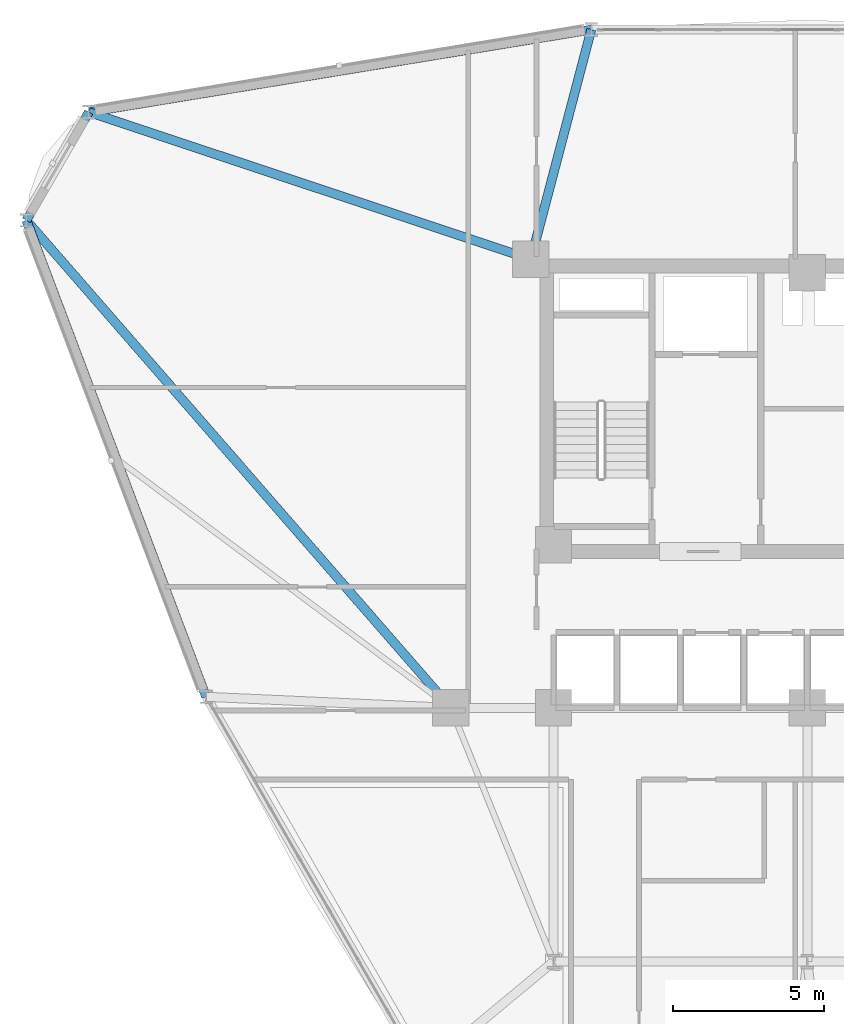
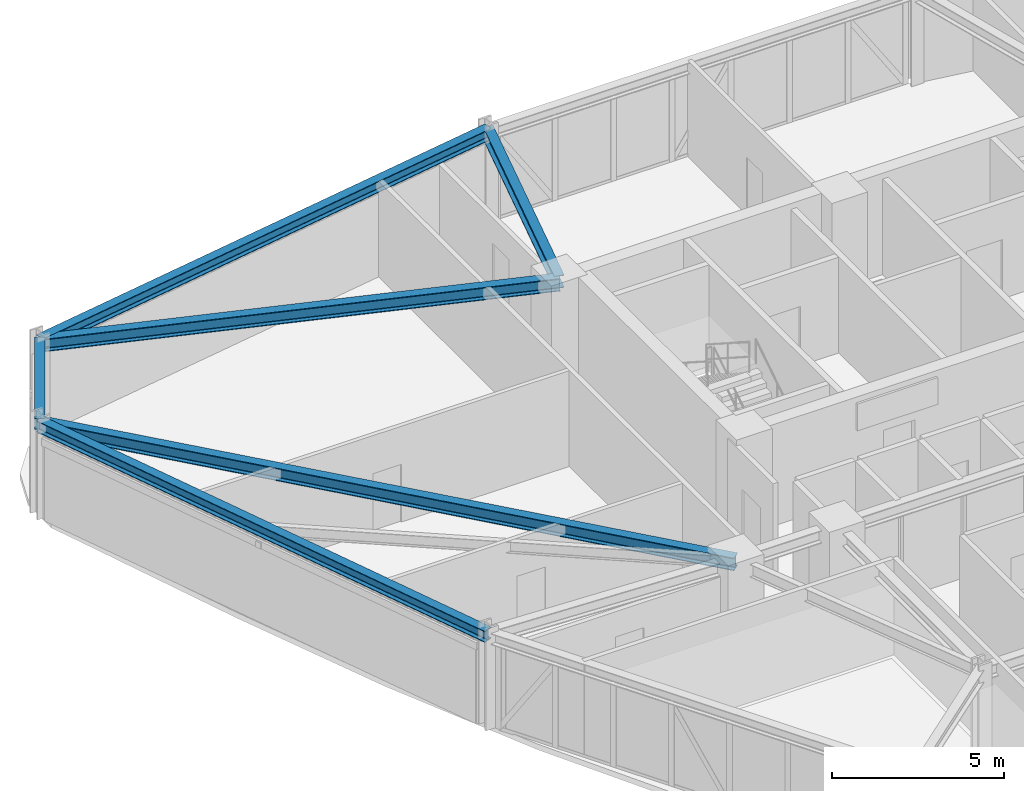
# One storey, part 7 of 17: 6 beams.
"""IFC4 building model written with IfcOpenShell, lengths in metres."""

from ifc_helpers import new_model, si_unit, derived_unit, direction, frame, origin, origin_2d, place, context, subcontext, project, spatial, i_section, extrude, source, transform, mapped, material, material_profile, profile_set, type_object, element, save


model = new_model("IFC4")

# Units and contexts
model_context = context("Model", 3, precision=1e-05, world=origin(), true_north=direction((0.0, 1.0)))
body_context = subcontext(model_context, "Body", "Model", "MODEL_VIEW")
ifc_project = project(units=[si_unit("LENGTHUNIT", "METRE"), si_unit("AREAUNIT", "SQUARE_METRE"), si_unit("VOLUMEUNIT", "CUBIC_METRE"), si_unit("PLANEANGLEUNIT", "RADIAN"), si_unit("MASSUNIT", "GRAM", prefix="KILO"), derived_unit("THERMALTRANSMITTANCEUNIT", [(si_unit("POWERUNIT", "WATT"), 1), (si_unit("LENGTHUNIT", "METRE"), -2), (si_unit("THERMODYNAMICTEMPERATUREUNIT", "KELVIN"), -1)])], contexts=[model_context])

# Site, building, storey
site_placement = place(None, origin())
site = spatial("IfcSite", under=ifc_project, at=site_placement, CompositionType="ELEMENT")
building_placement = place(site_placement, origin())
building = spatial("IfcBuilding", under=site, at=building_placement, Name="Korsvarv Bourse and Concert Hall", CompositionType="ELEMENT")
storey_placement = place(building_placement, frame((0.0, 0.0, 102.60009765625)))
storey = spatial("IfcBuildingStorey", under=building, at=storey_placement, Name="L25", CompositionType="ELEMENT", Elevation=102.60009765625)

# Beams
ifc_material = material(Name="Steel S355", Category="steel")
ifc_material_profile_1 = material_profile(ifc_material, i_section(OverallWidth=0.300048828125, OverallDepth=0.39990234375, WebThickness=0.013427734375, FlangeThickness=0.02392578125, FilletRadius=0.02099609375, at=origin_2d()), Name="HEB 400")
ifc_profile_set_1 = profile_set([ifc_material_profile_1], Name="Steel S355")
beam_type_1 = type_object("IfcBeamType", Name="BM-HEB400", PredefinedType="SPANDREL", material=ifc_profile_set_1)
shared_shape_1 = source(origin(), body_context, "Body", "SweptSolid", [
    extrude(i_section(OverallWidth=0.300048828125, OverallDepth=0.39990234375, WebThickness=0.013427734375, FlangeThickness=0.02392578125, FilletRadius=0.02099609375, at=origin_2d()), origin(), (0.0, 0.0, 1.0), 4.136962890625),
])
beam_1_placement = place(storey_placement, frame((12.21728515625, 52.119384765625, 3.199951171875), z_axis=(-0.500042586076, -0.866000815306, 0.0), x_axis=(0.866000815306, -0.500042586076, 0.0)))
element("IfcBeam", 1, at=beam_1_placement, inside=storey, type_object=beam_type_1, Name="L25 beam B-09", PredefinedType="SPANDREL", context=body_context, shape_type="MappedRepresentation", body=[
    mapped(shared_shape_1, transform((0.0, 0.0, 0.0), scale=1.0)),
])
shared_shape_2 = source(origin(), body_context, "Body", "SweptSolid", [
    extrude(i_section(OverallWidth=0.300048828125, OverallDepth=0.39990234375, WebThickness=0.013427734375, FlangeThickness=0.02392578125, FilletRadius=0.02099609375, at=origin_2d()), origin(), (0.0, 0.0, 1.0), 16.856201171875),
])
for number, where, z_axis, x_axis, name in (
    (2, (28.8505859375, 54.8515625, 3.199951171875), (-0.986776405202, -0.162087402768, 0.0), (0.162087402768, -0.986776405202, 0.0), "L25 beam B-09"),
    (3, (10.148681640625, 48.536865234375, 3.199951171875), (0.353024240889, -0.935614175472, 0.0), (0.935614175472, 0.353024240889, 0.0), "L25 beam B-09"),
):
    element("IfcBeam", number, at=place(storey_placement, frame(where, z_axis=z_axis, x_axis=x_axis)), inside=storey, type_object=beam_type_1, Name=name, PredefinedType="SPANDREL", context=body_context, shape_type="MappedRepresentation", body=[
        mapped(shared_shape_2, transform((0.0, 0.0, 0.0), scale=1.0)),
    ])
ifc_material_profile_2 = material_profile(ifc_material, i_section(OverallWidth=0.300048828125, OverallDepth=0.449951171875, WebThickness=0.013916015625, FlangeThickness=0.02587890625, FilletRadius=0.02099609375, at=origin_2d()), Name="HEB 450")
ifc_profile_set_2 = profile_set([ifc_material_profile_2], Name="Steel S355")
beam_type_2 = type_object("IfcBeamType", Name="BM-HEB450", PredefinedType="SPANDREL", material=ifc_profile_set_2)
shared_shape_3 = source(origin(), body_context, "Body", "SweptSolid", [
    extrude(i_section(OverallWidth=0.300048828125, OverallDepth=0.449951171875, WebThickness=0.013916015625, FlangeThickness=0.02587890625, FilletRadius=0.02099609375, at=origin_2d()), origin(), (0.0, 0.0, 1.0), 7.8603515625),
])
beam_2_placement = place(storey_placement, frame((28.8505859375, 54.8515625, 3.1748046875), z_axis=(-0.254502472315, -0.96707212326, 0.0), x_axis=(0.96707212326, -0.254502472315, 0.0)))
element("IfcBeam", 4, at=beam_2_placement, inside=storey, type_object=beam_type_2, Name="L25 beam B-08", PredefinedType="SPANDREL", context=body_context, shape_type="MappedRepresentation", body=[
    mapped(shared_shape_3, transform((0.0, 0.0, 0.0), scale=1.0)),
])
shared_shape_4 = source(origin(), body_context, "Body", "SweptSolid", [
    extrude(i_section(OverallWidth=0.300048828125, OverallDepth=0.449951171875, WebThickness=0.013916015625, FlangeThickness=0.02587890625, FilletRadius=0.02099609375, at=origin_2d()), origin(), (0.0, 0.0, 1.0), 15.421630859375),
])
beam_3_placement = place(storey_placement, frame((12.21728515625, 52.119384765625, 3.1748046875), z_axis=(0.948843069251, -0.315748048188, 0.0), x_axis=(0.315748048188, 0.948843069251, 0.0)))
element("IfcBeam", 5, at=beam_3_placement, inside=storey, type_object=beam_type_2, Name="L25 beam B-08", PredefinedType="SPANDREL", context=body_context, shape_type="MappedRepresentation", body=[
    mapped(shared_shape_4, transform((0.0, 0.0, 0.0), scale=1.0)),
])
shared_shape_5 = source(origin(), body_context, "Body", "SweptSolid", [
    extrude(i_section(OverallWidth=0.300048828125, OverallDepth=0.449951171875, WebThickness=0.013916015625, FlangeThickness=0.02587890625, FilletRadius=0.02099609375, at=origin_2d()), origin(), (0.0, 0.0, 1.0), 21.397216796875),
])
beam_4_placement = place(storey_placement, frame((10.148681640625, 48.536865234375, 3.1748046875), z_axis=(0.656687603639, -0.754162708722, 0.0), x_axis=(0.754162708722, 0.656687603639, 0.0)))
element("IfcBeam", 6, at=beam_4_placement, inside=storey, type_object=beam_type_2, Name="L25 beam B-08", PredefinedType="SPANDREL", context=body_context, shape_type="MappedRepresentation", body=[
    mapped(shared_shape_5, transform((0.0, 0.0, 0.0), scale=1.0)),
])

save(model, "model.ifc")
